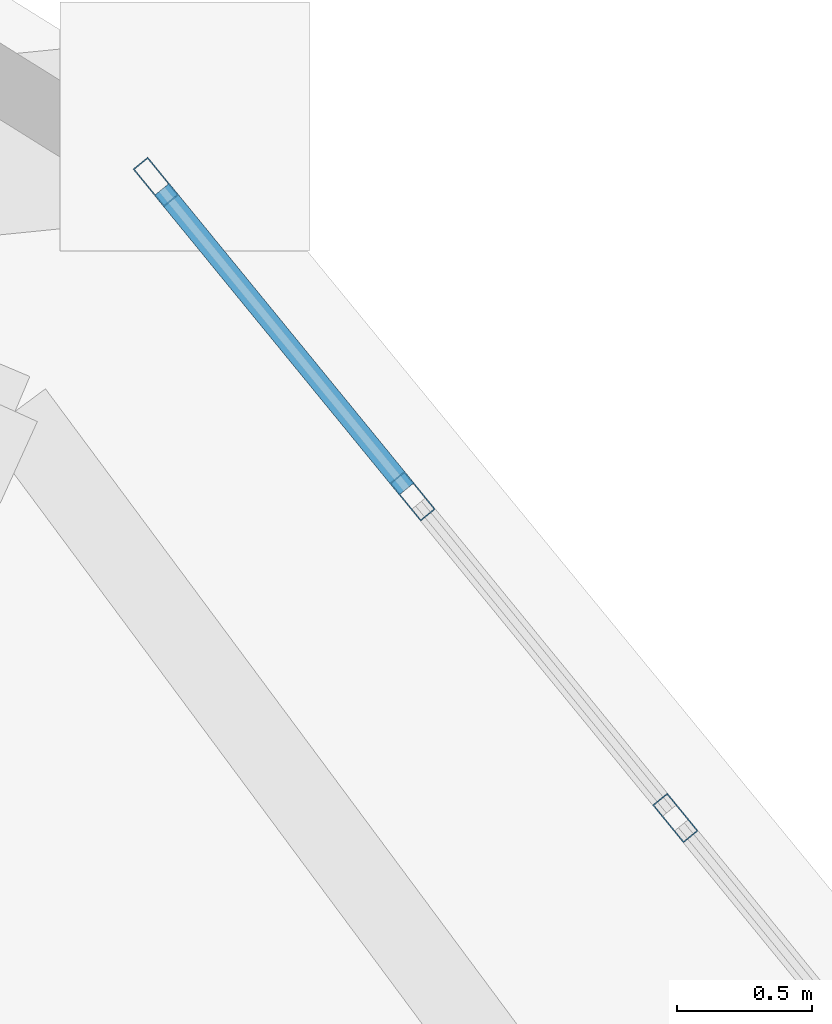
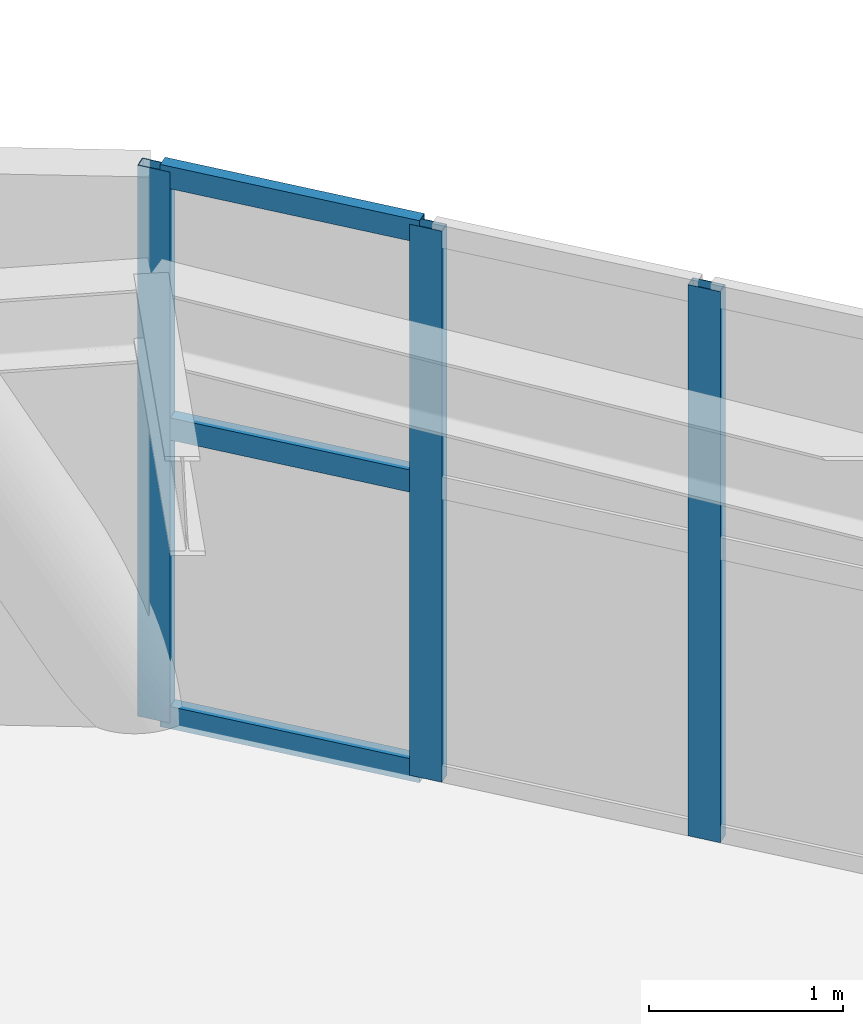
# One storey, part 8 of 20: 6 members, 1 element without a shape of its own.
"""IFC4 building model written with IfcOpenShell, lengths in metres."""

from ifc_helpers import new_model, si_unit, direction, frame, origin, origin_2d, place, context, subcontext, project, spatial, hollow_rectangle, extrude, material, layer, layer_set, material_profile, profile_set, type_object, element, aggregate, save


model = new_model("IFC4")

# Units and contexts
model_context = context("Model", 3, precision=1e-05, world=origin(), true_north=direction((0.0, 1.0)))
body_context = subcontext(model_context, "Body", "Model", "MODEL_VIEW")
ifc_project = project(units=[si_unit("LENGTHUNIT", "METRE"), si_unit("AREAUNIT", "SQUARE_METRE"), si_unit("VOLUMEUNIT", "CUBIC_METRE"), si_unit("PLANEANGLEUNIT", "RADIAN"), si_unit("MASSUNIT", "GRAM", prefix="KILO")], contexts=[model_context])

# Site, building, storey
site_placement = place(None, origin())
site = spatial("IfcSite", under=ifc_project, at=site_placement, CompositionType="ELEMENT")
building_placement = place(site_placement, origin())
building = spatial("IfcBuilding", under=site, at=building_placement, Name="Cununo Teusaquillo Station Towers", CompositionType="ELEMENT")
storey_placement = place(building_placement, frame((0.0, 0.0, 140.320068359375)))
storey = spatial("IfcBuildingStorey", under=building, at=storey_placement, Name="L44", CompositionType="ELEMENT", Elevation=140.320068359375)

# Curtain wall, members
ifc_material_1 = material(Name="Ceramic-fritted dark low-E double glazing", Category="glass")
ifc_layer = layer(ifc_material_1, 0.179931640625)
ifc_layer_set = layer_set([ifc_layer], Name="Ceramic-fritted dark low-E double glazing")
curtain_wall_type = type_object("IfcCurtainWallType", Name="CW-SYS-04", PredefinedType="USERDEFINED", material=ifc_layer_set)
curtain_wall_placement = place(storey_placement, origin())
curtain_wall = element("IfcCurtainWall", 1, at=curtain_wall_placement, inside=storey, type_object=curtain_wall_type, Name="L44 Tower A Facade Curtain Wall C02", ObjectType="FRITTED GLAZING", PredefinedType="USERDEFINED")
ifc_material_2 = material(Name="Anodised dark bronze aluminium EN AW-6063-T6", Category="aluminium")
ifc_material_profile_1 = material_profile(ifc_material_2, hollow_rectangle(XDim=0.070068359375, YDim=0.179931640625, WallThickness=0.00390625, at=origin_2d()), Name="CW-MULL-70x180")
ifc_profile_set_1 = profile_set([ifc_material_profile_1], Name="Anodised dark bronze aluminium EN AW-6063-T6")
member_type_1 = type_object("IfcMemberType", Name="CWM-180", PredefinedType="MULLION", material=ifc_profile_set_1)
member_1_placement = place(storey_placement, frame((25.680419921875, 39.90087890625, 0.0), z_axis=(0.0, 0.0, 1.0), x_axis=(0.774394127889, 0.63270351247, 0.0)))
member_1 = element("IfcMember", 2, at=member_1_placement, type_object=member_type_1, Name="CW-04 mullion 1", PredefinedType="MULLION", context=body_context, shape_type="SweptSolid", body=[
    extrude(hollow_rectangle(XDim=0.070068359375, YDim=0.179931640625, WallThickness=0.00390625, at=origin_2d()), origin(), (0.0, 0.0, 1.0), 3.46484375),
])
member_2_placement = place(storey_placement, frame((26.6279296875, 38.7412109375, 0.0), z_axis=(0.0, 0.0, 1.0), x_axis=(0.774394127889, 0.63270351247, 0.0)))
member_2 = element("IfcMember", 3, at=member_2_placement, type_object=member_type_1, Name="CW-04 mullion 2", PredefinedType="MULLION", context=body_context, shape_type="SweptSolid", body=[
    extrude(hollow_rectangle(XDim=0.070068359375, YDim=0.179931640625, WallThickness=0.00390625, at=origin_2d()), origin(), (0.0, 0.0, 1.0), 3.46484375),
])
member_3_placement = place(storey_placement, frame((27.59765625, 37.55419921875, 0.0), z_axis=(0.0, 0.0, 1.0), x_axis=(0.774394127889, 0.63270351247, 0.0)))
member_3 = element("IfcMember", 4, at=member_3_placement, type_object=member_type_1, Name="CW-04 mullion 3", PredefinedType="MULLION", context=body_context, shape_type="SweptSolid", body=[
    extrude(hollow_rectangle(XDim=0.070068359375, YDim=0.179931640625, WallThickness=0.00390625, at=origin_2d()), origin(), (0.0, 0.0, 1.0), 3.46484375),
])
ifc_material_3 = material(Name="Anodised dark bronze aluminium EN AW-6063-T6", Category="aluminium")
ifc_material_profile_2 = material_profile(ifc_material_3, hollow_rectangle(XDim=0.070068359375, YDim=0.139892578125, WallThickness=0.00390625, at=origin_2d()), Name="CW-TRAN-70x140")
ifc_profile_set_2 = profile_set([ifc_material_profile_2], Name="Anodised dark bronze aluminium EN AW-6063-T6")
member_type_2 = type_object("IfcMemberType", Name="CWT-140", PredefinedType="USERDEFINED", material=ifc_profile_set_2)
member_4_placement = place(storey_placement, frame((25.70263671875, 39.873779296875, 0.034912109375), z_axis=(0.632753407608, -0.774353359365, 0.0), x_axis=(0.774353359365, 0.632753407608, 0.0)))
member_4 = element("IfcMember", 5, at=member_4_placement, type_object=member_type_2, Name="CW-04 transom 1.1", ObjectType="TRANSOM", PredefinedType="USERDEFINED", context=body_context, shape_type="SweptSolid", body=[
    extrude(hollow_rectangle(XDim=0.070068359375, YDim=0.139892578125, WallThickness=0.00390625, at=origin_2d()), origin(), (0.0, 0.0, 1.0), 1.427490234375),
])
member_5_placement = place(storey_placement, frame((25.70263671875, 39.873779296875, 1.849853515625), z_axis=(0.632753407608, -0.774353359365, 0.0), x_axis=(0.774353359365, 0.632753407608, 0.0)))
member_5 = element("IfcMember", 6, at=member_5_placement, type_object=member_type_2, Name="CW-04 transom 1.2", ObjectType="TRANSOM", PredefinedType="USERDEFINED", context=body_context, shape_type="SweptSolid", body=[
    extrude(hollow_rectangle(XDim=0.070068359375, YDim=0.139892578125, WallThickness=0.00390625, at=origin_2d()), origin(), (0.0, 0.0, 1.0), 1.427490234375),
])
member_6_placement = place(storey_placement, frame((25.70263671875, 39.873779296875, 3.429931640625), z_axis=(0.632753407608, -0.774353359365, 0.0), x_axis=(0.774353359365, 0.632753407608, 0.0)))
member_6 = element("IfcMember", 7, at=member_6_placement, type_object=member_type_2, Name="CW-04 transom 1.3", ObjectType="TRANSOM", PredefinedType="USERDEFINED", context=body_context, shape_type="SweptSolid", body=[
    extrude(hollow_rectangle(XDim=0.070068359375, YDim=0.139892578125, WallThickness=0.00390625, at=origin_2d()), origin(), (0.0, 0.0, 1.0), 1.427490234375),
])
aggregate(curtain_wall, [member_1, member_2, member_3, member_4, member_5, member_6])

save(model, "model.ifc")
